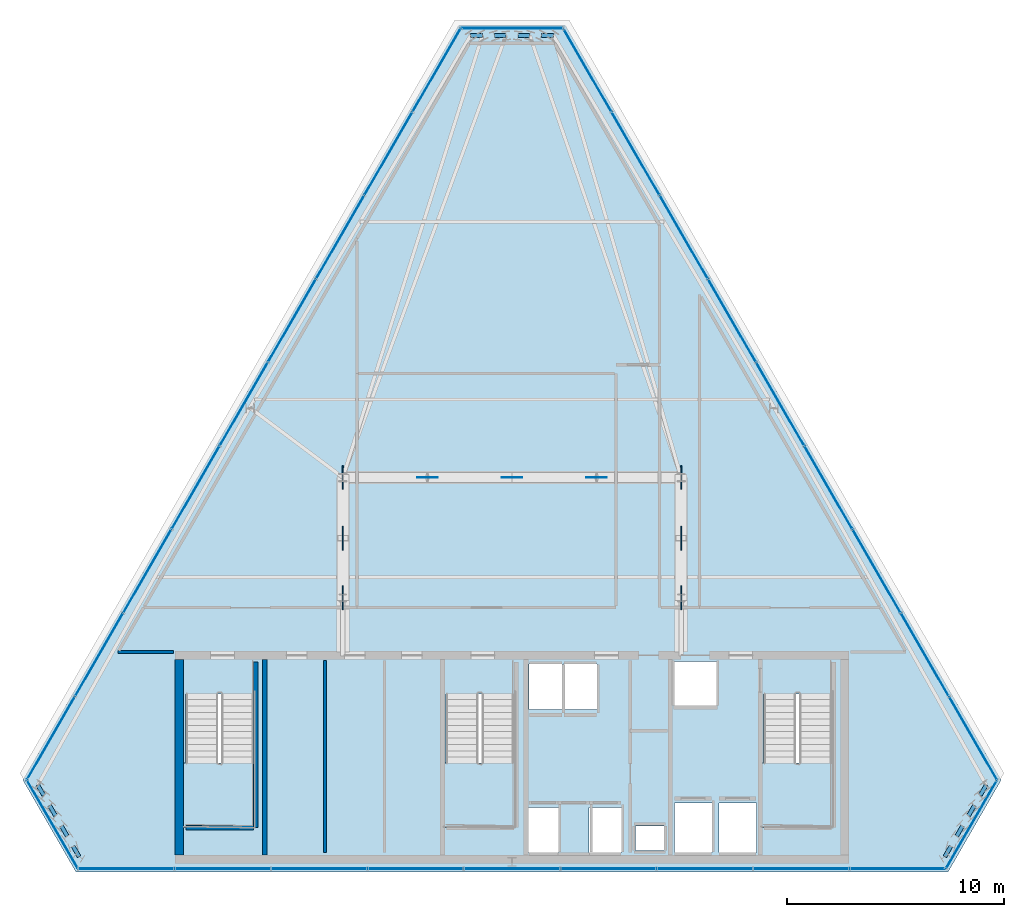
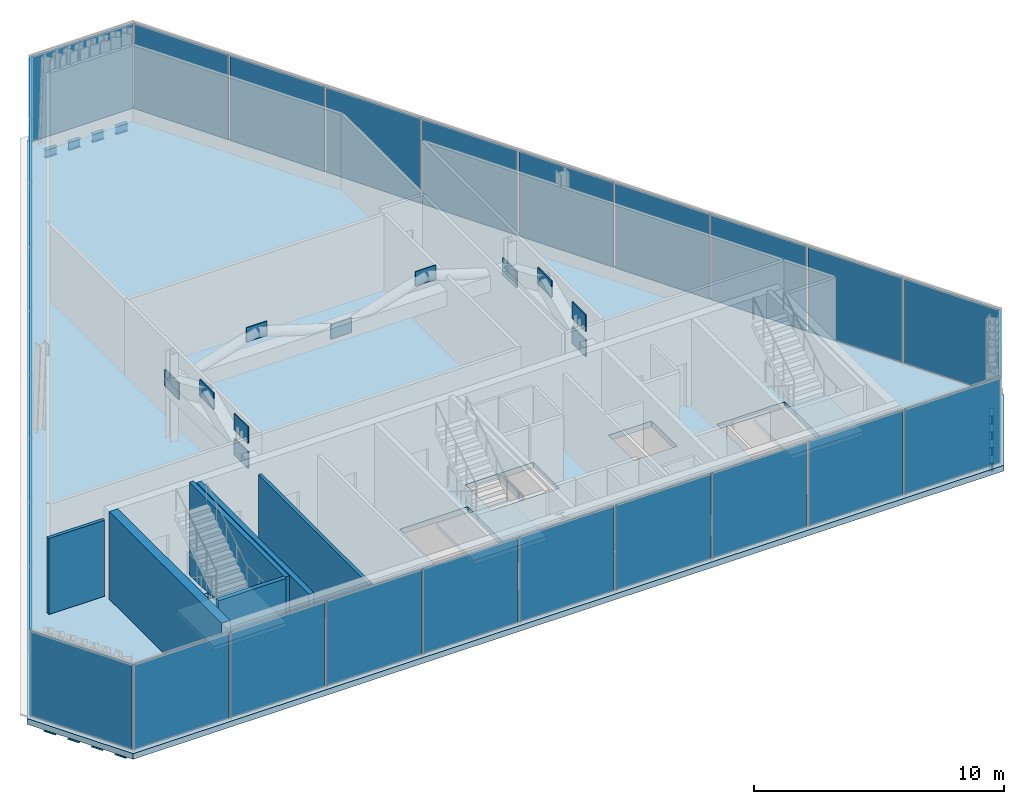
# One storey, part 27 of 32: 41 plates, 12 beams, 6 walls, 4 slabs, 9 elements without a shape of their own.
"""IFC4 building model written with IfcOpenShell, lengths in metres."""

from ifc_helpers import new_model, si_unit, direction, frame, frame_2d, origin, origin_2d, place, context, subcontext, project, spatial, polyline, rectangle, i_section, outline, extrude, material, layer, layer_set, material_profile, profile_set, type_object, element, aggregate, save


model = new_model("IFC4")

# Units and contexts
model_context = context("Model", 3, precision=1e-05, world=origin(), true_north=direction((0.0, 1.0)))
body_context = subcontext(model_context, "Body", "Model", "MODEL_VIEW")
ifc_project = project(units=[si_unit("LENGTHUNIT", "METRE"), si_unit("AREAUNIT", "SQUARE_METRE"), si_unit("VOLUMEUNIT", "CUBIC_METRE"), si_unit("PLANEANGLEUNIT", "RADIAN"), si_unit("MASSUNIT", "GRAM", prefix="KILO")], contexts=[model_context])

# Site, building, storey
site_placement = place(None, origin())
site = spatial("IfcSite", under=ifc_project, at=site_placement, CompositionType="ELEMENT")
building_placement = place(site_placement, origin())
building = spatial("IfcBuilding", under=site, at=building_placement, Name="Ndaravel Arena Tower", CompositionType="ELEMENT")
storey_placement = place(building_placement, frame((0.0, 0.0, 278.800048828125)))
storey = spatial("IfcBuildingStorey", under=building, at=storey_placement, Name="L68", CompositionType="ELEMENT", Elevation=278.800048828125)

# Beams
ifc_material_1 = material(Name="Steel S355", Category="steel")
ifc_material_profile = material_profile(ifc_material_1, i_section(OverallWidth=0.179931640625, OverallDepth=0.39990234375, WebThickness=0.008544921875, FlangeThickness=0.013427734375, FilletRadius=0.02099609375, at=origin_2d()), Name="IPE 400")
ifc_profile_set = profile_set([ifc_material_profile], Name="Steel S355")
beam_type = type_object("IfcBeamType", Name="BM-SPAN-IPE400", PredefinedType="SPANDREL", material=ifc_profile_set)
for number, where, z_axis, x_axis, name in (
    (1, (61.962646484375, 5.7158203125, -0.47998046875), (0.500045955379, 0.865998869808, 0.0), (-0.865998869808, 0.500045955379, 0.0), "L68 Perimeter Spandrel Beam SP-02"),
    (2, (62.507080078125, 6.65869140625, -0.47998046875), (0.500045955379, 0.865998869808, 0.0), (-0.865998869808, 0.500045955379, 0.0), "L68 Perimeter Spandrel Beam SP-04"),
    (3, (63.051513671875, 7.6015625, -0.47998046875), (0.500045955379, 0.865998869808, 0.0), (-0.865998869808, 0.500045955379, 0.0), "L68 Perimeter Spandrel Beam SP-06"),
    (4, (63.595947265625, 8.544677734375, -0.47998046875), (0.500045955379, 0.865998869808, 0.0), (-0.865998869808, 0.500045955379, 0.0), "L68 Perimeter Spandrel Beam SP-08"),
    (5, (43.905517578125, 43.59228515625, -0.47998046875), (-1.0, 0.0, 0.0), (0.0, -1.0, 0.0), "L68 Perimeter Spandrel Beam SP-11"),
    (6, (42.816650390625, 43.59228515625, -0.47998046875), (-1.0, 0.0, 0.0), (0.0, -1.0, 0.0), "L68 Perimeter Spandrel Beam SP-13"),
    (7, (41.727783203125, 43.59228515625, -0.47998046875), (-1.0, 0.0, 0.0), (0.0, -1.0, 0.0), "L68 Perimeter Spandrel Beam SP-15"),
    (8, (40.638916015625, 43.59228515625, -0.47998046875), (-1.0, 0.0, 0.0), (0.0, -1.0, 0.0), "L68 Perimeter Spandrel Beam SP-17"),
    (9, (20.1318359375, 9.01611328125, -0.47998046875), (0.500045955379, -0.865998869808, 0.0), (0.865998869808, 0.500045955379, 0.0), "L68 Perimeter Spandrel Beam SP-20"),
    (10, (20.67626953125, 8.072998046875, -0.47998046875), (0.500045955379, -0.865998869808, 0.0), (0.865998869808, 0.500045955379, 0.0), "L68 Perimeter Spandrel Beam SP-22"),
    (11, (21.220703125, 7.130126953125, -0.47998046875), (0.500045955379, -0.865998869808, 0.0), (0.865998869808, 0.500045955379, 0.0), "L68 Perimeter Spandrel Beam SP-24"),
    (12, (21.76513671875, 6.187255859375, -0.47998046875), (0.500045955379, -0.865998869808, 0.0), (0.865998869808, 0.500045955379, 0.0), "L68 Perimeter Spandrel Beam SP-26"),
):
    element("IfcBeam", number, at=place(storey_placement, frame(where, z_axis=z_axis, x_axis=x_axis)), inside=storey, type_object=beam_type, Name=name, PredefinedType="SPANDREL", context=body_context, shape_type="SweptSolid", body=[
        extrude(i_section(OverallWidth=0.179931640625, OverallDepth=0.39990234375, WebThickness=0.008544921875, FlangeThickness=0.013427734375, FilletRadius=0.02099609375, at=origin_2d()), origin(), (0.0, 0.0, 1.0), 0.54443359375),
    ])

# Curtain wall, plate
ifc_material_2 = material(Name="Aluminium", Category="aluminium")
ifc_layer_1 = layer(ifc_material_2, 0.179931640625)
ifc_layer_set_1 = layer_set([ifc_layer_1], Name="Aluminium")
curtain_wall_type_1 = type_object("IfcCurtainWallType", Name="CW-SYS-01", PredefinedType="NOTDEFINED", material=ifc_layer_set_1)
curtain_wall_1_placement = place(storey_placement, origin())
curtain_wall_1 = element("IfcCurtainWall", 13, at=curtain_wall_1_placement, inside=storey, type_object=curtain_wall_type_1, Name="L68 Faceted Crystal Curtain Wall CW-L68-E02", PredefinedType="NOTDEFINED")
ifc_material_3 = material(Name="Glazing", Category="glass")
ifc_layer_2 = layer(ifc_material_3, 0.031982421875)
ifc_layer_set_2 = layer_set([ifc_layer_2], Name="Glazing")
plate_type_1 = type_object("IfcPlateType", Name="PLT-GLZ-FRIT35", PredefinedType="CURTAIN_PANEL", material=ifc_layer_set_2)
plate_1_placement = place(storey_placement, frame((63.1923828125, 7.205810546875, 0.06005859375), z_axis=(0.0, 0.0, 1.0), x_axis=(0.5, 0.866025403784, 0.0)))
plate_1 = element("IfcPlate", 14, at=plate_1_placement, type_object=plate_type_1, Name="CW-L68-E02 Vision Glass Panel 01", PredefinedType="CURTAIN_PANEL", context=body_context, shape_type="SweptSolid", body=[
    extrude(rectangle(XDim=4.644775390625, YDim=0.035888671875, at=origin_2d()), origin(), (0.0, 0.0, 1.0), 4.159912109375),
])
aggregate(curtain_wall_1, [plate_1])

curtain_wall_2_placement = place(storey_placement, origin())
curtain_wall_2 = element("IfcCurtainWall", 15, at=curtain_wall_2_placement, inside=storey, type_object=curtain_wall_type_1, Name="L68 Faceted Crystal Curtain Wall CW-L68-E04", PredefinedType="NOTDEFINED")
plate_2_placement = place(storey_placement, frame((42.0, 43.912353515625, 0.06005859375), z_axis=(0.0, 0.0, 1.0), x_axis=(-1.0, 0.0, 0.0)))
plate_2 = element("IfcPlate", 16, at=plate_2_placement, type_object=plate_type_1, Name="CW-L68-E04 Vision Glass Panel 01", PredefinedType="CURTAIN_PANEL", context=body_context, shape_type="SweptSolid", body=[
    extrude(rectangle(XDim=4.644775390625, YDim=0.035888671875, at=origin_2d()), origin(), (0.0, 0.0, 1.0), 4.159912109375),
])
aggregate(curtain_wall_2, [plate_2])

ifc_material_4 = material(Name="Aluminium", Category="aluminium")
ifc_layer_3 = layer(ifc_material_4, 0.179931640625)
ifc_layer_set_3 = layer_set([ifc_layer_3], Name="Aluminium")
curtain_wall_type_2 = type_object("IfcCurtainWallType", Name="CW-SYS-02", PredefinedType="NOTDEFINED", material=ifc_layer_set_3)
curtain_wall_3_placement = place(storey_placement, origin())
curtain_wall_3 = element("IfcCurtainWall", 17, at=curtain_wall_3_placement, inside=storey, type_object=curtain_wall_type_2, Name="L68 Faceted Crystal Curtain Wall CW-L68-E06", PredefinedType="NOTDEFINED")
ifc_material_5 = material(Name="Glazing", Category="glass")
ifc_layer_4 = layer(ifc_material_5, 0.035888671875)
ifc_layer_set_4 = layer_set([ifc_layer_4], Name="Glazing")
plate_type_2 = type_object("IfcPlateType", Name="PLT-GLZ-FRIT55", PredefinedType="CURTAIN_PANEL", material=ifc_layer_set_4)
plate_3_placement = place(storey_placement, frame((20.8076171875, 7.205810546875, 0.06005859375), z_axis=(0.0, 0.0, 1.0), x_axis=(0.5, -0.866025403784, 0.0)))
plate_3 = element("IfcPlate", 18, at=plate_3_placement, type_object=plate_type_2, Name="CW-L68-E06 Vision Glass Panel 01", PredefinedType="CURTAIN_PANEL", context=body_context, shape_type="SweptSolid", body=[
    extrude(rectangle(XDim=4.644775390625, YDim=0.035888671875, at=origin_2d()), origin(), (0.0, 0.0, 1.0), 4.159912109375),
])
aggregate(curtain_wall_3, [plate_3])

# Curtain wall, plates
ifc_material_6 = material(Name="Aluminium", Category="aluminium")
ifc_layer_5 = layer(ifc_material_6, 0.179931640625)
ifc_layer_set_5 = layer_set([ifc_layer_5], Name="Aluminium")
curtain_wall_type_3 = type_object("IfcCurtainWallType", Name="CW-SYS-03", PredefinedType="NOTDEFINED", material=ifc_layer_set_5)
curtain_wall_4_placement = place(storey_placement, origin())
curtain_wall_4 = element("IfcCurtainWall", 19, at=curtain_wall_4_placement, inside=storey, type_object=curtain_wall_type_3, Name="L68 Faceted Crystal Curtain Wall CW-L68-E01", PredefinedType="NOTDEFINED")
ifc_material_7 = material(Name="Glazing", Category="glass")
ifc_layer_6 = layer(ifc_material_7, 0.0400390625)
ifc_layer_set_6 = layer_set([ifc_layer_6], Name="Glazing")
plate_type_3 = type_object("IfcPlateType", Name="PLT-GLZ-LOWIRON", PredefinedType="CURTAIN_PANEL", material=ifc_layer_set_6)
plate_4_placement = place(storey_placement, frame((24.212158203125, 5.159912109375, 0.06005859375), z_axis=(0.0, 0.0, 1.0), x_axis=(1.0, 0.0, 0.0)))
plate_4 = element("IfcPlate", 20, at=plate_4_placement, type_object=plate_type_3, Name="CW-L68-E01 Vision Glass Panel 01", PredefinedType="CURTAIN_PANEL", context=body_context, shape_type="SweptSolid", body=[
    extrude(rectangle(XDim=4.366943359375, YDim=0.035888671875, at=origin_2d()), origin(), (0.0, 0.0, 1.0), 4.159912109375),
])
plate_5_placement = place(storey_placement, frame((28.6591796875, 5.159912109375, 0.06005859375), z_axis=(0.0, 0.0, 1.0), x_axis=(1.0, 0.0, 0.0)))
plate_5 = element("IfcPlate", 21, at=plate_5_placement, type_object=plate_type_3, Name="CW-L68-E01 Vision Glass Panel 02", PredefinedType="CURTAIN_PANEL", context=body_context, shape_type="SweptSolid", body=[
    extrude(rectangle(XDim=4.366943359375, YDim=0.035888671875, at=origin_2d()), origin(), (0.0, 0.0, 1.0), 4.159912109375),
])
plate_6_placement = place(storey_placement, frame((33.106201171875, 5.159912109375, 0.06005859375), z_axis=(0.0, 0.0, 1.0), x_axis=(1.0, 0.0, 0.0)))
plate_6 = element("IfcPlate", 22, at=plate_6_placement, type_object=plate_type_3, Name="CW-L68-E01 Vision Glass Panel 03", PredefinedType="CURTAIN_PANEL", context=body_context, shape_type="SweptSolid", body=[
    extrude(rectangle(XDim=4.366943359375, YDim=0.035888671875, at=origin_2d()), origin(), (0.0, 0.0, 1.0), 4.159912109375),
])
plate_7_placement = place(storey_placement, frame((37.552978515625, 5.159912109375, 0.06005859375), z_axis=(0.0, 0.0, 1.0), x_axis=(1.0, 0.0, 0.0)))
plate_7 = element("IfcPlate", 23, at=plate_7_placement, type_object=plate_type_3, Name="CW-L68-E01 Vision Glass Panel 04", PredefinedType="CURTAIN_PANEL", context=body_context, shape_type="SweptSolid", body=[
    extrude(rectangle(XDim=4.366943359375, YDim=0.035888671875, at=origin_2d()), origin(), (0.0, 0.0, 1.0), 4.159912109375),
])
plate_8_placement = place(storey_placement, frame((42.0, 5.159912109375, 0.06005859375), z_axis=(0.0, 0.0, 1.0), x_axis=(1.0, 0.0, 0.0)))
plate_8 = element("IfcPlate", 24, at=plate_8_placement, type_object=plate_type_3, Name="CW-L68-E01 Vision Glass Panel 05", PredefinedType="CURTAIN_PANEL", context=body_context, shape_type="SweptSolid", body=[
    extrude(rectangle(XDim=4.366943359375, YDim=0.035888671875, at=origin_2d()), origin(), (0.0, 0.0, 1.0), 4.159912109375),
])
plate_9_placement = place(storey_placement, frame((46.447021484375, 5.159912109375, 0.06005859375), z_axis=(0.0, 0.0, 1.0), x_axis=(1.0, 0.0, 0.0)))
plate_9 = element("IfcPlate", 25, at=plate_9_placement, type_object=plate_type_3, Name="CW-L68-E01 Vision Glass Panel 06", PredefinedType="CURTAIN_PANEL", context=body_context, shape_type="SweptSolid", body=[
    extrude(rectangle(XDim=4.366943359375, YDim=0.035888671875, at=origin_2d()), origin(), (0.0, 0.0, 1.0), 4.159912109375),
])
plate_10_placement = place(storey_placement, frame((50.893798828125, 5.159912109375, 0.06005859375), z_axis=(0.0, 0.0, 1.0), x_axis=(1.0, 0.0, 0.0)))
plate_10 = element("IfcPlate", 26, at=plate_10_placement, type_object=plate_type_3, Name="CW-L68-E01 Vision Glass Panel 07", PredefinedType="CURTAIN_PANEL", context=body_context, shape_type="SweptSolid", body=[
    extrude(rectangle(XDim=4.366943359375, YDim=0.035888671875, at=origin_2d()), origin(), (0.0, 0.0, 1.0), 4.159912109375),
])
plate_11_placement = place(storey_placement, frame((55.3408203125, 5.159912109375, 0.06005859375), z_axis=(0.0, 0.0, 1.0), x_axis=(1.0, 0.0, 0.0)))
plate_11 = element("IfcPlate", 27, at=plate_11_placement, type_object=plate_type_3, Name="CW-L68-E01 Vision Glass Panel 08", PredefinedType="CURTAIN_PANEL", context=body_context, shape_type="SweptSolid", body=[
    extrude(rectangle(XDim=4.366943359375, YDim=0.035888671875, at=origin_2d()), origin(), (0.0, 0.0, 1.0), 4.159912109375),
])
plate_12_placement = place(storey_placement, frame((59.787841796875, 5.159912109375, 0.06005859375), z_axis=(0.0, 0.0, 1.0), x_axis=(1.0, 0.0, 0.0)))
plate_12 = element("IfcPlate", 28, at=plate_12_placement, type_object=plate_type_3, Name="CW-L68-E01 Vision Glass Panel 09", PredefinedType="CURTAIN_PANEL", context=body_context, shape_type="SweptSolid", body=[
    extrude(rectangle(XDim=4.366943359375, YDim=0.035888671875, at=origin_2d()), origin(), (0.0, 0.0, 1.0), 4.159912109375),
])
aggregate(curtain_wall_4, [plate_4, plate_5, plate_6, plate_7, plate_8, plate_9, plate_10, plate_11, plate_12])

curtain_wall_5_placement = place(storey_placement, origin())
curtain_wall_5 = element("IfcCurtainWall", 29, at=curtain_wall_5_placement, inside=storey, type_object=curtain_wall_type_3, Name="L68 Faceted Crystal Curtain Wall CW-L68-E03", PredefinedType="NOTDEFINED")
plate_13_placement = place(storey_placement, frame((63.261962890625, 11.177490234375, 0.06005859375), z_axis=(0.0, 0.0, 1.0), x_axis=(-0.5, 0.866025403784, 0.0)))
plate_13 = element("IfcPlate", 30, at=plate_13_placement, type_object=plate_type_3, Name="CW-L68-E03 Vision Glass Panel 01", PredefinedType="CURTAIN_PANEL", context=body_context, shape_type="SweptSolid", body=[
    extrude(rectangle(XDim=4.366943359375, YDim=0.035888671875, at=origin_2d()), origin(), (0.0, 0.0, 1.0), 4.159912109375),
])
plate_14_placement = place(storey_placement, frame((61.03857421875, 15.028564453125, 0.06005859375), z_axis=(0.0, 0.0, 1.0), x_axis=(-0.5, 0.866025403784, 0.0)))
plate_14 = element("IfcPlate", 31, at=plate_14_placement, type_object=plate_type_3, Name="CW-L68-E03 Vision Glass Panel 02", PredefinedType="CURTAIN_PANEL", context=body_context, shape_type="SweptSolid", body=[
    extrude(rectangle(XDim=4.366943359375, YDim=0.035888671875, at=origin_2d()), origin(), (0.0, 0.0, 1.0), 4.159912109375),
])
plate_15_placement = place(storey_placement, frame((58.81494140625, 18.879638671875, 0.06005859375), z_axis=(0.0, 0.0, 1.0), x_axis=(-0.5, 0.866025403784, 0.0)))
plate_15 = element("IfcPlate", 32, at=plate_15_placement, type_object=plate_type_3, Name="CW-L68-E03 Vision Glass Panel 03", PredefinedType="CURTAIN_PANEL", context=body_context, shape_type="SweptSolid", body=[
    extrude(rectangle(XDim=4.366943359375, YDim=0.035888671875, at=origin_2d()), origin(), (0.0, 0.0, 1.0), 4.159912109375),
])
plate_16_placement = place(storey_placement, frame((56.591552734375, 22.73095703125, 0.06005859375), z_axis=(0.0, 0.0, 1.0), x_axis=(-0.5, 0.866025403784, 0.0)))
plate_16 = element("IfcPlate", 33, at=plate_16_placement, type_object=plate_type_3, Name="CW-L68-E03 Vision Glass Panel 04", PredefinedType="CURTAIN_PANEL", context=body_context, shape_type="SweptSolid", body=[
    extrude(rectangle(XDim=4.366943359375, YDim=0.035888671875, at=origin_2d()), origin(), (0.0, 0.0, 1.0), 4.159912109375),
])
plate_17_placement = place(storey_placement, frame((54.367919921875, 26.58203125, 0.06005859375), z_axis=(0.0, 0.0, 1.0), x_axis=(-0.5, 0.866025403784, 0.0)))
plate_17 = element("IfcPlate", 34, at=plate_17_placement, type_object=plate_type_3, Name="CW-L68-E03 Vision Glass Panel 05", PredefinedType="CURTAIN_PANEL", context=body_context, shape_type="SweptSolid", body=[
    extrude(rectangle(XDim=4.366943359375, YDim=0.035888671875, at=origin_2d()), origin(), (0.0, 0.0, 1.0), 4.159912109375),
])
plate_18_placement = place(storey_placement, frame((52.14453125, 30.433349609375, 0.06005859375), z_axis=(0.0, 0.0, 1.0), x_axis=(-0.5, 0.866025403784, 0.0)))
plate_18 = element("IfcPlate", 35, at=plate_18_placement, type_object=plate_type_3, Name="CW-L68-E03 Vision Glass Panel 06", PredefinedType="CURTAIN_PANEL", context=body_context, shape_type="SweptSolid", body=[
    extrude(rectangle(XDim=4.366943359375, YDim=0.035888671875, at=origin_2d()), origin(), (0.0, 0.0, 1.0), 4.159912109375),
])
plate_19_placement = place(storey_placement, frame((49.921142578125, 34.284423828125, 0.06005859375), z_axis=(0.0, 0.0, 1.0), x_axis=(-0.5, 0.866025403784, 0.0)))
plate_19 = element("IfcPlate", 36, at=plate_19_placement, type_object=plate_type_3, Name="CW-L68-E03 Vision Glass Panel 07", PredefinedType="CURTAIN_PANEL", context=body_context, shape_type="SweptSolid", body=[
    extrude(rectangle(XDim=4.366943359375, YDim=0.035888671875, at=origin_2d()), origin(), (0.0, 0.0, 1.0), 4.159912109375),
])
plate_20_placement = place(storey_placement, frame((47.697509765625, 38.135498046875, 0.06005859375), z_axis=(0.0, 0.0, 1.0), x_axis=(-0.5, 0.866025403784, 0.0)))
plate_20 = element("IfcPlate", 37, at=plate_20_placement, type_object=plate_type_3, Name="CW-L68-E03 Vision Glass Panel 08", PredefinedType="CURTAIN_PANEL", context=body_context, shape_type="SweptSolid", body=[
    extrude(rectangle(XDim=4.366943359375, YDim=0.035888671875, at=origin_2d()), origin(), (0.0, 0.0, 1.0), 4.159912109375),
])
plate_21_placement = place(storey_placement, frame((45.47412109375, 41.98681640625, 0.06005859375), z_axis=(0.0, 0.0, 1.0), x_axis=(-0.5, 0.866025403784, 0.0)))
plate_21 = element("IfcPlate", 38, at=plate_21_placement, type_object=plate_type_3, Name="CW-L68-E03 Vision Glass Panel 09", PredefinedType="CURTAIN_PANEL", context=body_context, shape_type="SweptSolid", body=[
    extrude(rectangle(XDim=4.366943359375, YDim=0.035888671875, at=origin_2d()), origin(), (0.0, 0.0, 1.0), 4.159912109375),
])
aggregate(curtain_wall_5, [plate_13, plate_14, plate_15, plate_16, plate_17, plate_18, plate_19, plate_20, plate_21])

curtain_wall_6_placement = place(storey_placement, origin())
curtain_wall_6 = element("IfcCurtainWall", 39, at=curtain_wall_6_placement, inside=storey, type_object=curtain_wall_type_3, Name="L68 Faceted Crystal Curtain Wall CW-L68-E05", PredefinedType="NOTDEFINED")
plate_22_placement = place(storey_placement, frame((38.52587890625, 41.98681640625, 0.06005859375), z_axis=(0.0, 0.0, 1.0), x_axis=(-0.5, -0.866025403784, 0.0)))
plate_22 = element("IfcPlate", 40, at=plate_22_placement, type_object=plate_type_3, Name="CW-L68-E05 Vision Glass Panel 01", PredefinedType="CURTAIN_PANEL", context=body_context, shape_type="SweptSolid", body=[
    extrude(rectangle(XDim=4.366943359375, YDim=0.035888671875, at=origin_2d()), origin(), (0.0, 0.0, 1.0), 4.159912109375),
])
plate_23_placement = place(storey_placement, frame((36.302490234375, 38.135498046875, 0.06005859375), z_axis=(0.0, 0.0, 1.0), x_axis=(-0.5, -0.866025403784, 0.0)))
plate_23 = element("IfcPlate", 41, at=plate_23_placement, type_object=plate_type_3, Name="CW-L68-E05 Vision Glass Panel 02", PredefinedType="CURTAIN_PANEL", context=body_context, shape_type="SweptSolid", body=[
    extrude(rectangle(XDim=4.366943359375, YDim=0.035888671875, at=origin_2d()), origin(), (0.0, 0.0, 1.0), 4.159912109375),
])
plate_24_placement = place(storey_placement, frame((34.078857421875, 34.284423828125, 0.06005859375), z_axis=(0.0, 0.0, 1.0), x_axis=(-0.5, -0.866025403784, 0.0)))
plate_24 = element("IfcPlate", 42, at=plate_24_placement, type_object=plate_type_3, Name="CW-L68-E05 Vision Glass Panel 03", PredefinedType="CURTAIN_PANEL", context=body_context, shape_type="SweptSolid", body=[
    extrude(rectangle(XDim=4.366943359375, YDim=0.035888671875, at=origin_2d()), origin(), (0.0, 0.0, 1.0), 4.159912109375),
])
plate_25_placement = place(storey_placement, frame((31.85546875, 30.433349609375, 0.06005859375), z_axis=(0.0, 0.0, 1.0), x_axis=(-0.5, -0.866025403784, 0.0)))
plate_25 = element("IfcPlate", 43, at=plate_25_placement, type_object=plate_type_3, Name="CW-L68-E05 Vision Glass Panel 04", PredefinedType="CURTAIN_PANEL", context=body_context, shape_type="SweptSolid", body=[
    extrude(rectangle(XDim=4.366943359375, YDim=0.035888671875, at=origin_2d()), origin(), (0.0, 0.0, 1.0), 4.159912109375),
])
plate_26_placement = place(storey_placement, frame((29.6318359375, 26.58203125, 0.06005859375), z_axis=(0.0, 0.0, 1.0), x_axis=(-0.5, -0.866025403784, 0.0)))
plate_26 = element("IfcPlate", 44, at=plate_26_placement, type_object=plate_type_3, Name="CW-L68-E05 Vision Glass Panel 05", PredefinedType="CURTAIN_PANEL", context=body_context, shape_type="SweptSolid", body=[
    extrude(rectangle(XDim=4.366943359375, YDim=0.035888671875, at=origin_2d()), origin(), (0.0, 0.0, 1.0), 4.159912109375),
])
plate_27_placement = place(storey_placement, frame((27.408447265625, 22.73095703125, 0.06005859375), z_axis=(0.0, 0.0, 1.0), x_axis=(-0.5, -0.866025403784, 0.0)))
plate_27 = element("IfcPlate", 45, at=plate_27_placement, type_object=plate_type_3, Name="CW-L68-E05 Vision Glass Panel 06", PredefinedType="CURTAIN_PANEL", context=body_context, shape_type="SweptSolid", body=[
    extrude(rectangle(XDim=4.366943359375, YDim=0.035888671875, at=origin_2d()), origin(), (0.0, 0.0, 1.0), 4.159912109375),
])
plate_28_placement = place(storey_placement, frame((25.18505859375, 18.879638671875, 0.06005859375), z_axis=(0.0, 0.0, 1.0), x_axis=(-0.5, -0.866025403784, 0.0)))
plate_28 = element("IfcPlate", 46, at=plate_28_placement, type_object=plate_type_3, Name="CW-L68-E05 Vision Glass Panel 07", PredefinedType="CURTAIN_PANEL", context=body_context, shape_type="SweptSolid", body=[
    extrude(rectangle(XDim=4.366943359375, YDim=0.035888671875, at=origin_2d()), origin(), (0.0, 0.0, 1.0), 4.159912109375),
])
plate_29_placement = place(storey_placement, frame((22.96142578125, 15.028564453125, 0.06005859375), z_axis=(0.0, 0.0, 1.0), x_axis=(-0.5, -0.866025403784, 0.0)))
plate_29 = element("IfcPlate", 47, at=plate_29_placement, type_object=plate_type_3, Name="CW-L68-E05 Vision Glass Panel 08", PredefinedType="CURTAIN_PANEL", context=body_context, shape_type="SweptSolid", body=[
    extrude(rectangle(XDim=4.366943359375, YDim=0.035888671875, at=origin_2d()), origin(), (0.0, 0.0, 1.0), 4.159912109375),
])
plate_30_placement = place(storey_placement, frame((20.738037109375, 11.177490234375, 0.06005859375), z_axis=(0.0, 0.0, 1.0), x_axis=(-0.5, -0.866025403784, 0.0)))
plate_30 = element("IfcPlate", 48, at=plate_30_placement, type_object=plate_type_3, Name="CW-L68-E05 Vision Glass Panel 09", PredefinedType="CURTAIN_PANEL", context=body_context, shape_type="SweptSolid", body=[
    extrude(rectangle(XDim=4.366943359375, YDim=0.035888671875, at=origin_2d()), origin(), (0.0, 0.0, 1.0), 4.159912109375),
])
aggregate(curtain_wall_6, [plate_22, plate_23, plate_24, plate_25, plate_26, plate_27, plate_28, plate_29, plate_30])

# Plates
ifc_material_8 = material(Name="Steel S460", Category="steel")
ifc_layer_7 = layer(ifc_material_8, 0.044921875)
ifc_layer_set_7 = layer_set([ifc_layer_7], Name="Steel S460")
plate_type_4 = type_object("IfcPlateType", Name="PLT-GUSSET-BN1", PredefinedType="USERDEFINED", material=ifc_layer_set_7)
for number, where, z_axis, x_axis, name in (
    (49, (38.10009765625, 23.199951171875, 3.5498046875), (0.0, 0.0, 1.0), (1.0, 0.0, 0.0), "L68 Brace End Gusset Plate EGP-069"),
    (50, (42.0, 23.199951171875, 2.330078125), (0.0, 0.0, 1.0), (1.0, 0.0, 0.0), "L68 Brace End Gusset Plate EGP-070"),
    (51, (45.89990234375, 23.199951171875, 3.5498046875), (0.0, 0.0, 1.0), (1.0, 0.0, 0.0), "L68 Brace End Gusset Plate EGP-071"),
):
    element("IfcPlate", number, at=place(storey_placement, frame(where, z_axis=z_axis, x_axis=x_axis)), inside=storey, type_object=plate_type_4, Name=name, ObjectType="GUSSET_PLATE", PredefinedType="USERDEFINED", context=body_context, shape_type="SweptSolid", body=[
        extrude(rectangle(XDim=0.949951171875, YDim=0.044921875, at=origin_2d()), origin(), (0.0, 0.0, 1.0), 0.699951171875),
    ])
ifc_material_9 = material(Name="Steel S460", Category="steel")
ifc_layer_8 = layer(ifc_material_9, 0.050048828125)
ifc_layer_set_8 = layer_set([ifc_layer_8], Name="Steel S460")
plate_type_5 = type_object("IfcPlateType", Name="PLT-GUSSET-ON1", PredefinedType="USERDEFINED", material=ifc_layer_set_8)
for number, where, z_axis, x_axis, name in (
    (52, (34.199951171875, 17.64990234375, 3.5), (0.0, 0.0, 1.0), (1.0, 0.0, 0.0), "Outrigger Embedded Node ON-3.1"),
    (53, (49.800048828125, 17.64990234375, 3.5), (0.0, 0.0, 1.0), (1.0, 0.0, 0.0), "Outrigger Embedded Node ON-3.2"),
    (54, (34.199951171875, 17.64990234375, 2.27978515625), (0.0, 0.0, 1.0), (1.0, 0.0, 0.0), "L68 Brace End Gusset Plate EGP-063"),
    (55, (34.199951171875, 20.39990234375, 3.5), (0.0, 0.0, 1.0), (1.0, 0.0, 0.0), "L68 Brace End Gusset Plate EGP-064"),
    (56, (34.199951171875, 23.199951171875, 2.27978515625), (0.0, 0.0, 1.0), (1.0, 0.0, 0.0), "L68 Brace End Gusset Plate EGP-065"),
    (57, (49.800048828125, 17.64990234375, 2.27978515625), (0.0, 0.0, 1.0), (1.0, 0.0, 0.0), "L68 Brace End Gusset Plate EGP-066"),
    (58, (49.800048828125, 20.39990234375, 3.5), (0.0, 0.0, 1.0), (1.0, 0.0, 0.0), "L68 Brace End Gusset Plate EGP-067"),
    (59, (49.800048828125, 23.199951171875, 2.27978515625), (0.0, 0.0, 1.0), (1.0, 0.0, 0.0), "L68 Brace End Gusset Plate EGP-068"),
):
    element("IfcPlate", number, at=place(storey_placement, frame(where, z_axis=z_axis, x_axis=x_axis)), inside=storey, type_object=plate_type_5, Name=name, ObjectType="GUSSET_PLATE", PredefinedType="USERDEFINED", context=body_context, shape_type="SweptSolid", body=[
        extrude(rectangle(XDim=0.050048828125, YDim=1.10009765625, at=origin_2d()), origin(), (0.0, 0.0, 1.0), 0.800048828125),
    ])

# Stair, slab
ifc_material_10 = material(Name="Concrete C40/50", Category="concrete")
stair_type = type_object("IfcStairType", Name="STAIR-CORE-HT", PredefinedType="HALF_TURN_STAIR", material=ifc_material_10)
stair_1_placement = place(storey_placement, origin())
stair_1 = element("IfcStair", 60, at=stair_1_placement, inside=storey, type_object=stair_type, Name="L68 ST-1", PredefinedType="HALF_TURN_STAIR")
ifc_material_11 = material(Name="Concrete C40/50", Category="concrete")
ifc_layer_9 = layer(ifc_material_11, 0.199951171875)
ifc_layer_set_9 = layer_set([ifc_layer_9], Name="Concrete C40/50")
slab_type_1 = type_object("IfcSlabType", Name="SLAB-STAIR-LANDING", PredefinedType="LANDING", material=ifc_layer_set_9)
slab_1_placement = place(storey_placement, frame((0.0, 0.0, 2.050048828125)))
slab_1 = element("IfcSlab", 61, at=slab_1_placement, type_object=slab_type_1, Name="ST-1 landing 1", PredefinedType="LANDING", context=body_context, shape_type="SweptSolid", body=[
    extrude(outline(polyline([(26.81005859375, 10.0400390625), (26.81005859375, 7.070068359375), (30.169921875, 7.070068359375), (30.169921875, 10.0400390625), (26.81005859375, 10.0400390625)])), origin(), (0.0, 0.0, 1.0), 0.199951171875),
])
aggregate(stair_1, [slab_1])

stair_2_placement = place(storey_placement, origin())
stair_2 = element("IfcStair", 62, at=stair_2_placement, inside=storey, type_object=stair_type, Name="L68 ST-2", PredefinedType="HALF_TURN_STAIR")
slab_2_placement = place(storey_placement, frame((0.0, 0.0, 2.050048828125)))
slab_2 = element("IfcSlab", 63, at=slab_2_placement, type_object=slab_type_1, Name="ST-2 landing 1", PredefinedType="LANDING", context=body_context, shape_type="SweptSolid", body=[
    extrude(outline(polyline([(38.81005859375, 10.0400390625), (38.81005859375, 7.070068359375), (42.169921875, 7.070068359375), (42.169921875, 10.0400390625), (38.81005859375, 10.0400390625)])), origin(), (0.0, 0.0, 1.0), 0.199951171875),
])
aggregate(stair_2, [slab_2])

stair_3_placement = place(storey_placement, origin())
stair_3 = element("IfcStair", 64, at=stair_3_placement, inside=storey, type_object=stair_type, Name="L68 ST-3", PredefinedType="HALF_TURN_STAIR")
slab_3_placement = place(storey_placement, frame((0.0, 0.0, 2.050048828125)))
slab_3 = element("IfcSlab", 65, at=slab_3_placement, type_object=slab_type_1, Name="ST-3 landing 1", PredefinedType="LANDING", context=body_context, shape_type="SweptSolid", body=[
    extrude(outline(polyline([(53.4599609375, 10.0400390625), (53.4599609375, 7.070068359375), (56.820068359375, 7.070068359375), (56.820068359375, 10.0400390625), (53.4599609375, 10.0400390625)])), origin(), (0.0, 0.0, 1.0), 0.199951171875),
])
aggregate(stair_3, [slab_3])

# Slab
ifc_material_12 = material(Name="Concrete C40/50", Category="concrete")
ifc_layer_10 = layer(ifc_material_12, 0.280029296875)
ifc_layer_set_10 = layer_set([ifc_layer_10], Name="Concrete C40/50")
slab_type_2 = type_object("IfcSlabType", Name="SLAB-TRANS-280", PredefinedType="FLOOR", material=ifc_layer_set_10)
slab_4_placement = place(storey_placement, frame((0.0, 0.0, -0.280029296875)))
element("IfcSlab", 66, at=slab_4_placement, inside=storey, type_object=slab_type_2, Name="L68 Structural Floor Slab", PredefinedType="FLOOR", context=body_context, shape_type="SweptSolid", body=[
    extrude(outline(polyline([(19.44140625, 9.251708984375), (21.896240234375, 5.0), (62.103759765625, 5.0), (64.55859375, 9.251708984375), (44.454833984375, 44.072509765625), (39.545166015625, 44.072509765625), (19.44140625, 9.251708984375)]), holes=[polyline([(26.949951171875, 13.215087890625), (26.949951171875, 7.14990234375), (30.090087890625, 7.14990234375), (30.090087890625, 13.215087890625), (26.949951171875, 13.215087890625)]), polyline([(38.949951171875, 13.215087890625), (38.949951171875, 7.14990234375), (42.090087890625, 7.14990234375), (42.090087890625, 13.215087890625), (38.949951171875, 13.215087890625)]), polyline([(53.60009765625, 13.215087890625), (53.60009765625, 7.14990234375), (56.739990234375, 7.14990234375), (56.739990234375, 13.215087890625), (53.60009765625, 13.215087890625)]), polyline([(42.659912109375, 5.909912109375), (44.139892578125, 5.909912109375), (44.139892578125, 7.989990234375), (42.659912109375, 7.989990234375), (42.659912109375, 5.909912109375)]), polyline([(45.56005859375, 5.909912109375), (47.0400390625, 5.909912109375), (47.0400390625, 7.989990234375), (45.56005859375, 7.989990234375), (45.56005859375, 5.909912109375)]), polyline([(42.784912109375, 12.510009765625), (44.31494140625, 12.510009765625), (44.31494140625, 14.590087890625), (42.784912109375, 14.590087890625), (42.784912109375, 12.510009765625)]), polyline([(44.385009765625, 12.510009765625), (45.9150390625, 12.510009765625), (45.9150390625, 14.590087890625), (44.385009765625, 14.590087890625), (44.385009765625, 12.510009765625)]), polyline([(49.485107421875, 5.909912109375), (51.215087890625, 5.909912109375), (51.215087890625, 8.18994140625), (49.485107421875, 8.18994140625), (49.485107421875, 5.909912109375)]), polyline([(51.534912109375, 5.909912109375), (53.264892578125, 5.909912109375), (53.264892578125, 8.18994140625), (51.534912109375, 8.18994140625), (51.534912109375, 5.909912109375)]), polyline([(49.4599609375, 12.68505859375), (51.43994140625, 12.68505859375), (51.43994140625, 14.715087890625), (49.4599609375, 14.715087890625), (49.4599609375, 12.68505859375)]), polyline([(47.699951171875, 6.0), (49.0, 6.0), (49.0, 7.139892578125), (47.699951171875, 7.139892578125), (47.699951171875, 6.0)])]), origin(), (0.0, 0.0, 1.0), 0.280029296875),
])

# Walls
ifc_material_13 = material(Name="Gypsum", Category="gypsum")
ifc_layer_11 = layer(ifc_material_13, 0.14990234375)
ifc_layer_set_11 = layer_set([ifc_layer_11], Name="Gypsum")
wall_type_1 = type_object("IfcWallType", Name="WALL-COMP-150", PredefinedType="PARTITIONING", material=ifc_layer_set_11)
wall_1_placement = place(storey_placement, frame((33.3798828125, 5.89990234375, 0.0), z_axis=(0.0, 0.0, 1.0), x_axis=(0.0, 1.0, 0.0)))
element("IfcWall", 67, at=wall_1_placement, inside=storey, type_object=wall_type_1, Name="L68 High-Zone Core Divider 1", PredefinedType="PARTITIONING", context=body_context, shape_type="SweptSolid", body=[
    extrude(rectangle(XDim=8.85009765625, YDim=0.14990234375, at=frame_2d((4.425048828125, 0.0))), origin(), (0.0, 0.0, 1.0), 3.71044921875),
])
wall_2_placement = place(storey_placement, frame((26.39990234375, 15.14990234375, 0.0), z_axis=(0.0, 0.0, 1.0), x_axis=(-1.0, 0.0, 0.0)))
element("IfcWall", 68, at=wall_2_placement, inside=storey, type_object=wall_type_1, Name="L68 Interior Partition 002", PredefinedType="PARTITIONING", context=body_context, shape_type="SweptSolid", body=[
    extrude(rectangle(XDim=2.571533203125, YDim=0.14990234375, at=frame_2d((1.28564453125, 0.0))), origin(), (0.0, 0.0, 1.0), 3.71044921875),
])
ifc_material_14 = material(Name="Concrete C50/60", Category="concrete")
ifc_layer_12 = layer(ifc_material_14, 0.219970703125)
ifc_layer_set_12 = layer_set([ifc_layer_12], Name="Concrete C50/60")
wall_type_2 = type_object("IfcWallType", Name="WALL-CORE-220", PredefinedType="SOLIDWALL", material=ifc_layer_set_12)
wall_3_placement = place(storey_placement, frame((30.60009765625, 5.800048828125, 0.0), z_axis=(0.0, 0.0, 1.0), x_axis=(0.0, 1.0, 0.0)))
element("IfcWall", 69, at=wall_3_placement, inside=storey, type_object=wall_type_2, Name="L68 Core Web Shear Wall 1", PredefinedType="SOLIDWALL", context=body_context, shape_type="SweptSolid", body=[
    extrude(rectangle(XDim=9.0, YDim=0.219970703125, at=frame_2d((4.5, 0.0))), origin(), (0.0, 0.0, 1.0), 4.280029296875),
])
ifc_material_15 = material(Name="Concrete C50/60", Category="concrete")
ifc_layer_13 = layer(ifc_material_15, 0.39990234375)
ifc_layer_set_13 = layer_set([ifc_layer_13], Name="Concrete C50/60")
wall_type_3 = type_object("IfcWallType", Name="WALL-CORE-400", PredefinedType="SOLIDWALL", material=ifc_layer_set_13)
wall_4_placement = place(storey_placement, frame((26.64990234375, 5.800048828125, 0.0), z_axis=(0.0, 0.0, 1.0), x_axis=(0.0, 1.0, 0.0)))
element("IfcWall", 70, at=wall_4_placement, inside=storey, type_object=wall_type_3, Name="L68 Core West Shear Wall", PredefinedType="SOLIDWALL", context=body_context, shape_type="SweptSolid", body=[
    extrude(rectangle(XDim=9.0, YDim=0.39990234375, at=frame_2d((4.5, 0.0))), origin(), (0.0, 0.0, 1.0), 4.280029296875),
])
ifc_material_16 = material(Name="Concrete C40/50", Category="concrete")
ifc_layer_14 = layer(ifc_material_16, 0.199951171875)
ifc_layer_set_14 = layer_set([ifc_layer_14], Name="Concrete C40/50")
wall_type_4 = type_object("IfcWallType", Name="WALL-SHAFT-200", PredefinedType="SOLIDWALL", material=ifc_layer_set_14)
wall_5_placement = place(storey_placement, frame((30.18994140625, 14.699951171875, 0.0), z_axis=(0.0, 0.0, 1.0), x_axis=(0.0, -1.0, 0.0)))
element("IfcWall", 71, at=wall_5_placement, inside=storey, type_object=wall_type_4, Name="L68 ST-1 Structural Shaft Wall Right", PredefinedType="SOLIDWALL", context=body_context, shape_type="SweptSolid", body=[
    extrude(rectangle(XDim=7.64990234375, YDim=0.199951171875, at=frame_2d((3.824951171875, 0.0))), origin(), (0.0, 0.0, 1.0), 4.5),
])
wall_6_placement = place(storey_placement, frame((26.969970703125, 7.050048828125, 0.0), z_axis=(0.0, 0.0, 1.0), x_axis=(1.0, 0.0, 0.0)))
element("IfcWall", 72, at=wall_6_placement, inside=storey, type_object=wall_type_4, Name="L68 ST-1 Structural Shaft Wall Far", PredefinedType="SOLIDWALL", context=body_context, shape_type="SweptSolid", body=[
    extrude(rectangle(XDim=3.114990234375, YDim=0.199951171875, at=frame_2d((1.5576171875, 0.0))), origin(), (0.0, 0.0, 1.0), 4.5),
])

save(model, "model.ifc")
